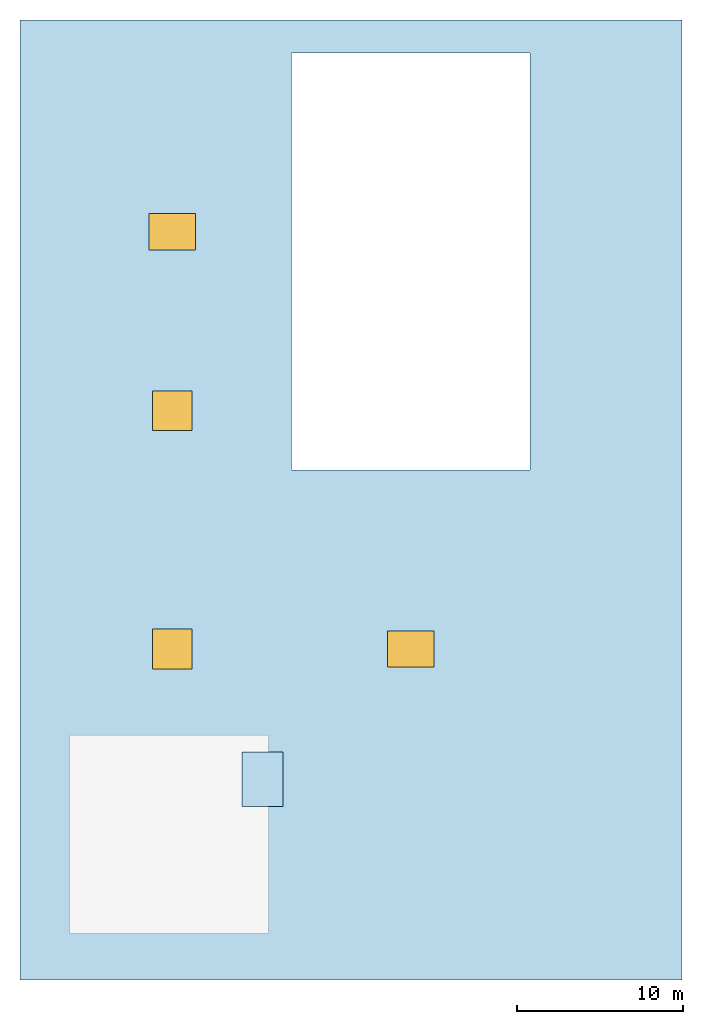
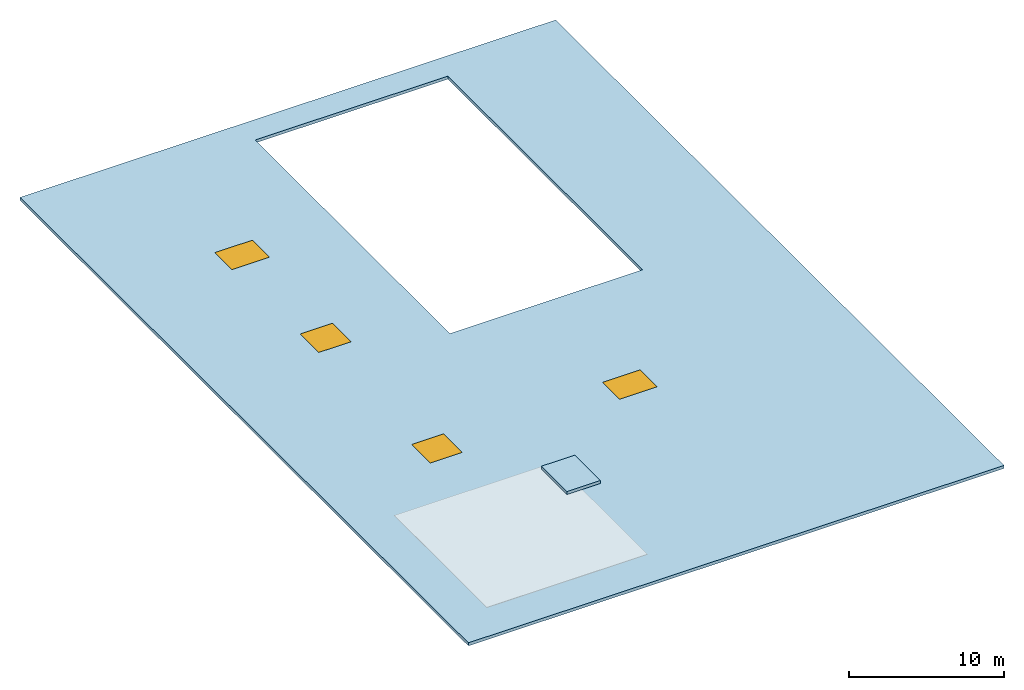
# One storey, part 1 of 2: 4 windows, 2 slabs, 4 openings.
"""IFC4 building model written with IfcOpenShell, lengths in metres."""

from ifc_helpers import new_model, si_unit, direction, frame, origin, origin_2d, place, context, subcontext, project, spatial, polyline, rectangle, outline, extrude, material, layer, layer_set, type_object, element, fill, save


model = new_model("IFC4")

# Units and contexts
model_context = context("Model", 3, precision=1e-05, world=origin(), true_north=direction((0.0, 1.0)))
body_context = subcontext(model_context, "Body", "Model", "MODEL_VIEW")
ifc_project = project(units=[si_unit("LENGTHUNIT", "METRE"), si_unit("AREAUNIT", "SQUARE_METRE"), si_unit("VOLUMEUNIT", "CUBIC_METRE"), si_unit("PLANEANGLEUNIT", "RADIAN"), si_unit("MASSUNIT", "GRAM", prefix="KILO")], contexts=[model_context])

# Site, building, storey
site_placement = place(None, origin())
site = spatial("IfcSite", under=ifc_project, at=site_placement, CompositionType="ELEMENT")
building_placement = place(site_placement, origin())
building = spatial("IfcBuilding", under=site, at=building_placement, Name="Mazaris Harbour Polytechnic", CompositionType="ELEMENT")
storey_placement = place(building_placement, frame((0.0, 0.0, 26.39990234375)))
storey = spatial("IfcBuildingStorey", under=building, at=storey_placement, Name="ROOF", CompositionType="ELEMENT", Elevation=26.39990234375)

# Slab, openings, windows
ifc_material_1 = material(Name="Glulam GL28h and Concrete C30/37", Category="concrete")
ifc_layer = layer(ifc_material_1, 0.239990234375, Name="Glulam GL28h and Concrete C30/37")
ifc_layer_set = layer_set([ifc_layer], Name="Glulam GL28h and Concrete C30/37")
slab_type = type_object("IfcSlabType", Name="Insulated Flat Roof Slab 240", PredefinedType="ROOF", material=ifc_layer_set)
slab_1_placement = place(storey_placement, frame((0.0, 0.0, -0.239990234375)))
slab_1 = element("IfcSlab", 1, at=slab_1_placement, inside=storey, type_object=slab_type, Name="V4 Main Library Roof Slab", PredefinedType="ROOF", context=body_context, shape_type="SweptSolid", body=[
    extrude(outline(polyline([(-2.0, 5.199951171875), (-2.0, 63.199951171875), (38.0, 63.199951171875), (38.0, 5.199951171875), (-2.0, 5.199951171875)]), holes=[polyline([(28.800048828125, 61.199951171875), (14.39990234375, 61.199951171875), (14.39990234375, 36.0), (28.800048828125, 36.0), (28.800048828125, 61.199951171875)])]), origin(), (0.0, 0.0, 1.0), 0.239990234375),
])
opening_1_placement = place(slab_1_placement, frame((7.199951171875, 25.199951171875, 0.0)))
opening_1 = element("IfcOpeningElement", 2, at=opening_1_placement, cuts=slab_1, Name="Opening SKY-01", PredefinedType="OPENING", context=body_context, shape_type="SweptSolid", body=[
    extrude(rectangle(XDim=2.39990234375, YDim=2.39990234375, at=origin_2d()), origin(), (0.0, 0.0, 1.0), 0.239990234375),
])
opening_2_placement = place(slab_1_placement, frame((7.199951171875, 39.60009765625, 0.0)))
opening_2 = element("IfcOpeningElement", 3, at=opening_2_placement, cuts=slab_1, Name="Opening SKY-01", PredefinedType="OPENING", context=body_context, shape_type="SweptSolid", body=[
    extrude(rectangle(XDim=2.39990234375, YDim=2.39990234375, at=origin_2d()), origin(), (0.0, 0.0, 1.0), 0.239990234375),
])
opening_3_placement = place(slab_1_placement, frame((7.199951171875, 50.39990234375, 0.0)))
opening_3 = element("IfcOpeningElement", 4, at=opening_3_placement, cuts=slab_1, Name="Opening SKY-02", PredefinedType="OPENING", context=body_context, shape_type="SweptSolid", body=[
    extrude(rectangle(XDim=2.800048828125, YDim=2.199951171875, at=origin_2d()), origin(), (0.0, 0.0, 1.0), 0.239990234375),
])
opening_4_placement = place(slab_1_placement, frame((21.60009765625, 25.199951171875, 0.0)))
opening_4 = element("IfcOpeningElement", 5, at=opening_4_placement, cuts=slab_1, Name="Opening SKY-02", PredefinedType="OPENING", context=body_context, shape_type="SweptSolid", body=[
    extrude(rectangle(XDim=2.800048828125, YDim=2.199951171875, at=origin_2d()), origin(), (0.0, 0.0, 1.0), 0.239990234375),
])
ifc_material_2 = material(Name="Thermally Broken Bronze Aluminium and Low-E Glass", Category="aluminium")
window_type_1 = type_object("IfcWindowType", Name="Library Lantern Skylight 2400x2400", PartitioningType="DOUBLE_PANEL_VERTICAL", PredefinedType="SKYLIGHT", material=ifc_material_2)
window_1_placement = place(opening_1_placement, frame((0.0, 0.0, 0.18994140625)))
window_1 = element("IfcWindow", 6, at=window_1_placement, inside=storey, type_object=window_type_1, Name="SKY-01", OverallHeight=2.39990234375, OverallWidth=2.39990234375, PartitioningType="SINGLE_PANEL", PredefinedType="SKYLIGHT", context=body_context, shape_type="SweptSolid", body=[
    extrude(rectangle(XDim=2.39990234375, YDim=2.39990234375, at=origin_2d()), origin(), (0.0, 0.0, 1.0), 0.050048828125),
])
fill(opening_1, window_1)
window_2_placement = place(opening_2_placement, frame((0.0, 0.0, 0.18994140625)))
window_2 = element("IfcWindow", 7, at=window_2_placement, inside=storey, type_object=window_type_1, Name="SKY-02", OverallHeight=2.39990234375, OverallWidth=2.39990234375, PartitioningType="SINGLE_PANEL", PredefinedType="SKYLIGHT", context=body_context, shape_type="SweptSolid", body=[
    extrude(rectangle(XDim=2.39990234375, YDim=2.39990234375, at=origin_2d()), origin(), (0.0, 0.0, 1.0), 0.050048828125),
])
fill(opening_2, window_2)
ifc_material_3 = material(Name="Thermally Broken Bronze Aluminium and Low-E Glass", Category="aluminium")
window_type_2 = type_object("IfcWindowType", Name="Library Lantern Skylight 2800x2200", PartitioningType="DOUBLE_PANEL_VERTICAL", PredefinedType="SKYLIGHT", material=ifc_material_3)
window_3_placement = place(opening_3_placement, frame((0.0, 0.0, 0.18994140625)))
window_3 = element("IfcWindow", 8, at=window_3_placement, inside=storey, type_object=window_type_2, Name="SKY-03", OverallHeight=2.199951171875, OverallWidth=2.800048828125, PartitioningType="SINGLE_PANEL", PredefinedType="SKYLIGHT", context=body_context, shape_type="SweptSolid", body=[
    extrude(rectangle(XDim=2.800048828125, YDim=2.199951171875, at=origin_2d()), origin(), (0.0, 0.0, 1.0), 0.050048828125),
])
fill(opening_3, window_3)
window_4_placement = place(opening_4_placement, frame((0.0, 0.0, 0.18994140625)))
window_4 = element("IfcWindow", 9, at=window_4_placement, inside=storey, type_object=window_type_2, Name="SKY-04", OverallHeight=2.199951171875, OverallWidth=2.800048828125, PartitioningType="SINGLE_PANEL", PredefinedType="SKYLIGHT", context=body_context, shape_type="SweptSolid", body=[
    extrude(rectangle(XDim=2.800048828125, YDim=2.199951171875, at=origin_2d()), origin(), (0.0, 0.0, 1.0), 0.050048828125),
])
fill(opening_4, window_4)

# Slab
slab_2_placement = place(storey_placement, frame((0.0, 0.0, 0.66015625)))
element("IfcSlab", 10, at=slab_2_placement, inside=storey, type_object=slab_type, Name="Lift LF-01 Overrun Roof Cap", PredefinedType="ROOF", context=body_context, shape_type="SweptSolid", body=[
    extrude(outline(polyline([(13.89990234375, 15.675048828125), (13.89990234375, 18.97509765625), (11.39990234375, 18.97509765625), (11.39990234375, 15.675048828125), (13.89990234375, 15.675048828125)])), origin(), (0.0, 0.0, 1.0), 0.239990234375),
])

save(model, "model.ifc")
